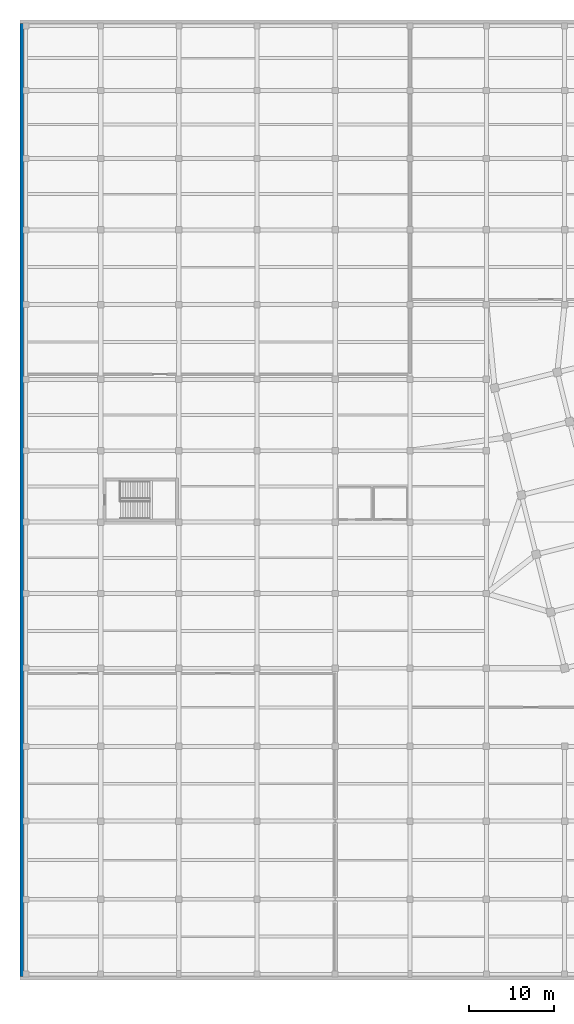
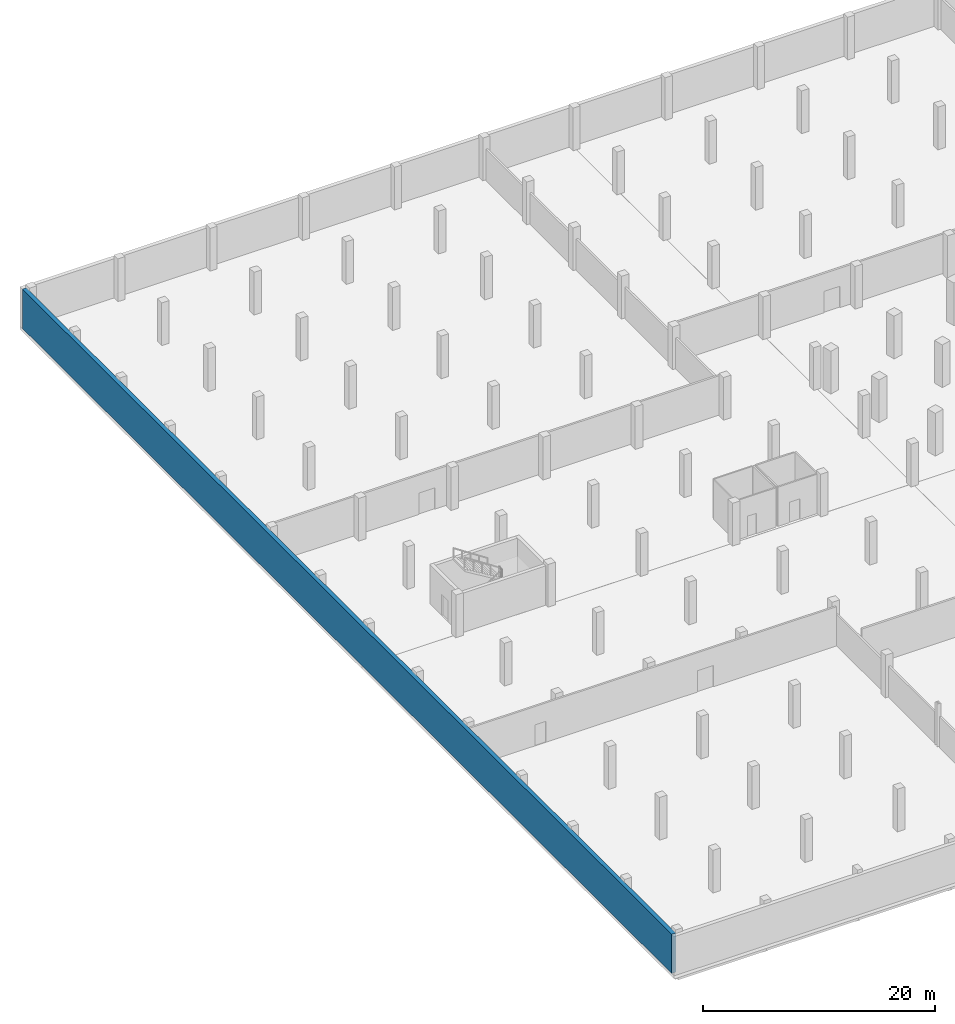
# One storey, part 19 of 31: 1 wall.
"""IFC4 building model written with IfcOpenShell, lengths in metres."""

from ifc_helpers import new_model, si_unit, direction, frame, frame_2d, origin, place, context, subcontext, project, spatial, rectangle, extrude, material, layer, layer_set, type_object, element, save


model = new_model("IFC4")

# Units and contexts
model_context = context("Model", 3, precision=1e-05, world=origin(), true_north=direction((0.0, 1.0)))
body_context = subcontext(model_context, "Body", "Model", "MODEL_VIEW")
ifc_project = project(units=[si_unit("LENGTHUNIT", "METRE"), si_unit("AREAUNIT", "SQUARE_METRE"), si_unit("VOLUMEUNIT", "CUBIC_METRE"), si_unit("PLANEANGLEUNIT", "RADIAN"), si_unit("MASSUNIT", "GRAM", prefix="KILO")], contexts=[model_context])

# Site, building, storey
site_placement = place(None, origin())
site = spatial("IfcSite", under=ifc_project, at=site_placement, CompositionType="ELEMENT")
building_placement = place(site_placement, origin())
building = spatial("IfcBuilding", under=site, at=building_placement, Name="Meriwether Solvik Hall", CompositionType="ELEMENT")
storey_placement = place(building_placement, frame((0.0, 0.0, -4.5)))
storey = spatial("IfcBuildingStorey", under=building, at=storey_placement, Name="B01", CompositionType="ELEMENT", Elevation=-4.5)

# Wall
ifc_material = material(Name="Concrete C40/50", Category="concrete")
ifc_layer = layer(ifc_material, 0.39990234375)
ifc_layer_set = layer_set([ifc_layer], Name="Concrete C40/50")
wall_type = type_object("IfcWallType", Name="WALL-BSMT-400", PredefinedType="STANDARD", material=ifc_layer_set)
wall_placement = place(storey_placement, frame((4.699951171875, 117.090087890625, 0.0), z_axis=(0.0, 0.0, 1.0), x_axis=(0.0, -1.0, 0.0)))
element("IfcWall", 1, at=wall_placement, inside=storey, type_object=wall_type, Name="B01 Perimeter Retaining Wall W", PredefinedType="STANDARD", context=body_context, shape_type="SweptSolid", body=[
    extrude(rectangle(XDim=112.18017578125, YDim=0.39990234375, at=frame_2d((56.090087890625, 0.0))), origin(), (0.0, 0.0, 1.0), 4.139892578125),
])

save(model, "model.ifc")
